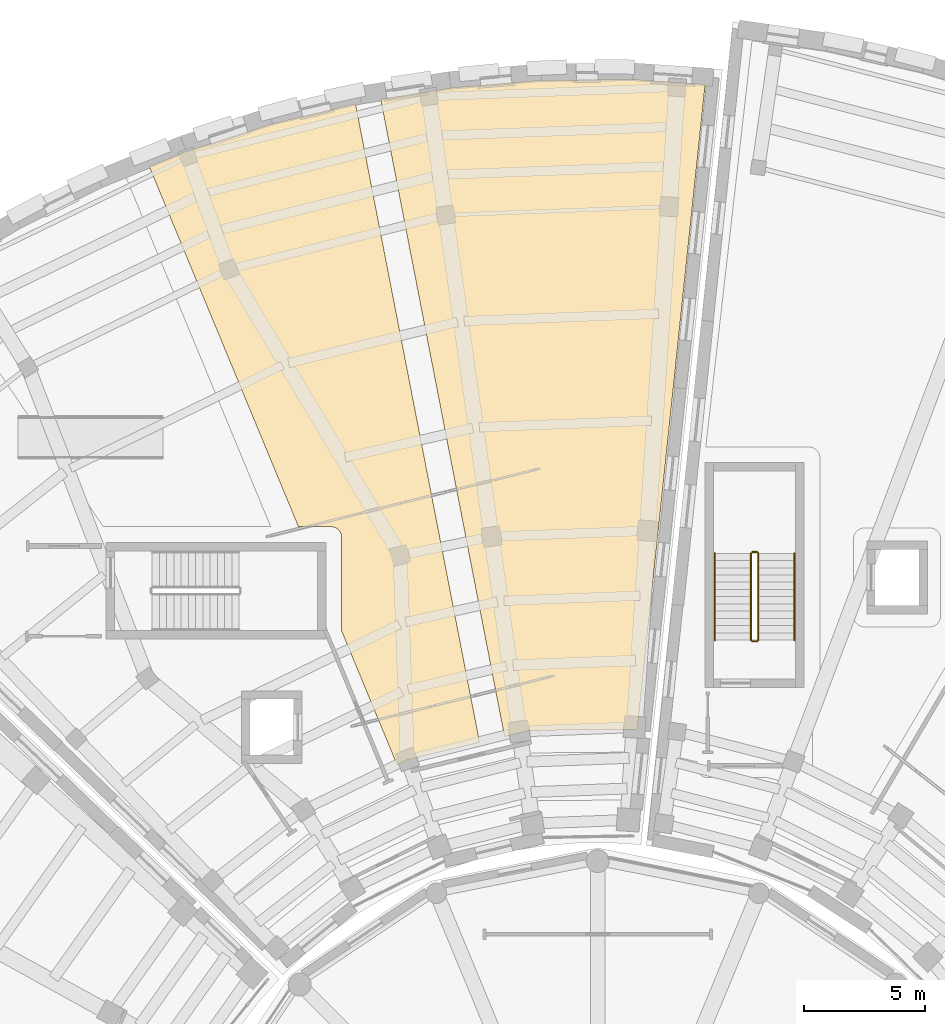
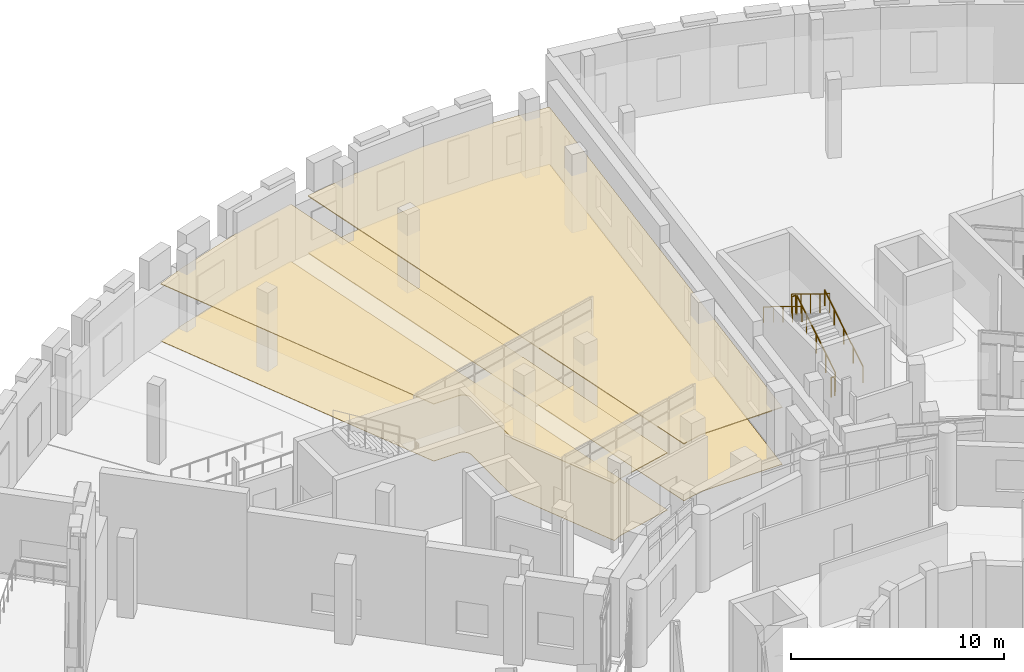
# One storey, part 69 of 75: 6 railings, 4 coverings.
"""IFC4 building model written with IfcOpenShell, lengths in metres."""

from ifc_helpers import new_model, si_unit, direction, frame, origin, origin_2d, place, context, subcontext, project, spatial, polyline, circle, outline, extrude, material, layer, layer_set, type_object, element, save


model = new_model("IFC4")

# Units and contexts
model_context = context("Model", 3, precision=1e-05, world=origin(), true_north=direction((0.0, 1.0)))
body_context = subcontext(model_context, "Body", "Model", "MODEL_VIEW")
ifc_project = project(units=[si_unit("LENGTHUNIT", "METRE"), si_unit("AREAUNIT", "SQUARE_METRE"), si_unit("VOLUMEUNIT", "CUBIC_METRE"), si_unit("PLANEANGLEUNIT", "RADIAN"), si_unit("MASSUNIT", "GRAM", prefix="KILO")], contexts=[model_context])

# Site, building, storey
site_placement = place(None, origin())
site = spatial("IfcSite", under=ifc_project, at=site_placement, CompositionType="ELEMENT")
building_placement = place(site_placement, origin())
building = spatial("IfcBuilding", under=site, at=building_placement, Name="Soyqirgoq Riverine Aquarium", CompositionType="ELEMENT")
storey_placement = place(building_placement, frame((0.0, 0.0, 10.199951171875)))
storey = spatial("IfcBuildingStorey", under=building, at=storey_placement, Name="L03", CompositionType="ELEMENT", Elevation=10.199951171875)

# Coverings
ifc_material_1 = material(Name="Perforated mineral-fibre acoustic ceiling", Category="gypsum")
ifc_layer_1 = layer(ifc_material_1, 0.050048828125)
ifc_layer_set_1 = layer_set([ifc_layer_1], Name="Perforated mineral-fibre acoustic ceiling")
covering_type_1 = type_object("IfcCoveringType", Name="AcousticBaffleCeiling_50", PredefinedType="CEILING", material=ifc_layer_set_1)
covering_1_placement = place(storey_placement, frame((0.0, 0.0, 3.25)))
element("IfcCovering", 1, at=covering_1_placement, inside=storey, type_object=covering_type_1, Name="Kreisel Bioluminescence Hall Suspended Ceiling", PredefinedType="CEILING", context=body_context, shape_type="SweptSolid", body=[
    extrude(outline(polyline([(49.925048828125, 106.47802734375), (53.680908203125, 106.7958984375), (57.449951171875, 106.827880859375), (60.451904296875, 106.626953125), (57.64306640625, 79.89990234375), (53.243896484375, 79.862060546875), (53.193115234375, 79.85888671875), (53.14306640625, 79.84912109375), (52.14501953125, 79.610107421875), (47.013916015625, 106.008056640625), (49.925048828125, 106.47802734375)])), origin(), (0.0, 0.0, 1.0), 0.050048828125),
])
ifc_material_2 = material(Name="Seamless slip-resistant marine epoxy flooring", Category="concrete")
ifc_layer_2 = layer(ifc_material_2, 0.02001953125)
ifc_layer_set_2 = layer_set([ifc_layer_2], Name="Seamless slip-resistant marine epoxy flooring")
covering_type_2 = type_object("IfcCoveringType", Name="EpoxyWetFloorFinish_20", PredefinedType="FLOORING", material=ifc_layer_set_2)
covering_2_placement = place(storey_placement, origin())
element("IfcCovering", 2, at=covering_2_placement, inside=storey, type_object=covering_type_2, Name="Plankton Microscopy Laboratory Floor Finish", PredefinedType="FLOORING", context=body_context, shape_type="SweptSolid", body=[
    extrude(outline(polyline([(38.950927734375, 103.843017578125), (42.5390625, 104.998046875), (45.969970703125, 105.821044921875), (51.113037109375, 79.362060546875), (48.172119140625, 78.656005859375), (48.123046875, 78.64111328125), (48.075927734375, 78.62109375), (47.696044921875, 78.431884765625), (45.39990234375, 83.97607421875), (45.39990234375, 87.85009765625), (45.39794921875, 87.89404296875), (45.39111328125, 87.93798828125), (45.381103515625, 87.98095703125), (45.365966796875, 88.02197265625), (45.346923828125, 88.06201171875), (45.323974609375, 88.10009765625), (45.298095703125, 88.135009765625), (45.26806640625, 88.16796875), (45.235107421875, 88.197998046875), (45.199951171875, 88.22412109375), (45.162109375, 88.2470703125), (45.1220703125, 88.26611328125), (45.0810546875, 88.281005859375), (45.0380859375, 88.291015625), (44.993896484375, 88.298095703125), (44.949951171875, 88.300048828125), (43.60888671875, 88.300048828125), (37.427978515625, 103.222900390625), (38.950927734375, 103.843017578125)])), origin(), (0.0, 0.0, 1.0), 0.02001953125),
])
ifc_material_3 = material(Name="Anodised aluminium marine moisture-resistant ceiling", Category="aluminium")
ifc_layer_3 = layer(ifc_material_3, 0.0400390625)
ifc_layer_set_3 = layer_set([ifc_layer_3], Name="Anodised aluminium marine moisture-resistant ceiling")
covering_type_3 = type_object("IfcCoveringType", Name="MoistureCeiling_40", PredefinedType="CEILING", material=ifc_layer_set_3)
covering_3_placement = place(storey_placement, frame((0.0, 0.0, 3.260009765625)))
element("IfcCovering", 3, at=covering_3_placement, inside=storey, type_object=covering_type_3, Name="Plankton Microscopy Laboratory Suspended Ceiling", PredefinedType="CEILING", context=body_context, shape_type="SweptSolid", body=[
    extrude(outline(polyline([(38.950927734375, 103.843017578125), (42.5390625, 104.998046875), (45.969970703125, 105.821044921875), (51.113037109375, 79.362060546875), (48.172119140625, 78.656005859375), (48.123046875, 78.64111328125), (48.075927734375, 78.62109375), (47.696044921875, 78.431884765625), (45.39990234375, 83.97607421875), (45.39990234375, 87.85009765625), (45.39794921875, 87.89404296875), (45.39111328125, 87.93798828125), (45.381103515625, 87.98095703125), (45.365966796875, 88.02197265625), (45.346923828125, 88.06201171875), (45.323974609375, 88.10009765625), (45.298095703125, 88.135009765625), (45.26806640625, 88.16796875), (45.235107421875, 88.197998046875), (45.199951171875, 88.22412109375), (45.162109375, 88.2470703125), (45.1220703125, 88.26611328125), (45.0810546875, 88.281005859375), (45.0380859375, 88.291015625), (44.993896484375, 88.298095703125), (44.949951171875, 88.300048828125), (43.60888671875, 88.300048828125), (37.427978515625, 103.222900390625), (38.950927734375, 103.843017578125)])), origin(), (0.0, 0.0, 1.0), 0.0400390625),
])

# Railings
ifc_material_4 = material(Name="Brushed stainless steel 316L tubular handrail", Category="steel")
railing_type_1 = type_object("IfcRailingType", Name="StairPitchHandrail_920", PredefinedType="HANDRAIL", material=ifc_material_4)
railing_1_placement = place(storey_placement, frame((64.14990234375, 83.60009765625, 0.1845703125)))
element("IfcRailing", 4, at=railing_1_placement, inside=storey, type_object=railing_type_1, Name="L03 ST-5 stair handrail 1", PredefinedType="HANDRAIL", context=body_context, shape_type="SweptSolid", body=[
    extrude(circle(Radius=0.02392578125, at=origin_2d()), frame((0.0, 0.0, 0.89990234375), z_axis=(0.0, 0.851628569182, 0.524145762315), x_axis=(-1.0, 0.0, 0.0)), (0.0, 0.0, 1.0), 4.22705078125),
    extrude(circle(Radius=0.02099609375, at=origin_2d()), origin(), (0.0, 0.0, 1.0), 0.875732421875),
    extrude(circle(Radius=0.02099609375, at=origin_2d()), frame((0.0, 0.89990234375, 0.553955078125)), (0.0, 0.0, 1.0), 0.875732421875),
    extrude(circle(Radius=0.02099609375, at=origin_2d()), frame((0.0, 1.7998046875, 1.10791015625)), (0.0, 0.0, 1.0), 0.875732421875),
    extrude(circle(Radius=0.02099609375, at=origin_2d()), frame((0.0, 2.699951171875, 1.66162109375)), (0.0, 0.0, 1.0), 0.875732421875),
    extrude(circle(Radius=0.02099609375, at=origin_2d()), frame((0.0, 3.599853515625, 2.215576171875)), (0.0, 0.0, 1.0), 0.875732421875),
])
railing_2_placement = place(storey_placement, frame((60.85009765625, 87.199951171875, 2.584716796875)))
element("IfcRailing", 5, at=railing_2_placement, inside=storey, type_object=railing_type_1, Name="L03 ST-5 stair handrail 2", PredefinedType="HANDRAIL", context=body_context, shape_type="SweptSolid", body=[
    extrude(circle(Radius=0.02392578125, at=origin_2d()), frame((0.0, 0.0, 0.89990234375), z_axis=(0.0, -0.851654350407, 0.524103870844), x_axis=(1.0, 0.0, 0.0)), (0.0, 0.0, 1.0), 4.226806640625),
    extrude(circle(Radius=0.02099609375, at=origin_2d()), origin(), (0.0, 0.0, 1.0), 0.875732421875),
    extrude(circle(Radius=0.02099609375, at=origin_2d()), frame((0.0, -0.89990234375, 0.5537109375)), (0.0, 0.0, 1.0), 0.875732421875),
    extrude(circle(Radius=0.02099609375, at=origin_2d()), frame((0.0, -1.7998046875, 1.107666015625)), (0.0, 0.0, 1.0), 0.875732421875),
    extrude(circle(Radius=0.02099609375, at=origin_2d()), frame((0.0, -2.699951171875, 1.66162109375)), (0.0, 0.0, 1.0), 0.875732421875),
    extrude(circle(Radius=0.02099609375, at=origin_2d()), frame((0.0, -3.599853515625, 2.21533203125)), (0.0, 0.0, 1.0), 0.875732421875),
])
ifc_material_5 = material(Name="Painted steel infill stair-well guardrail", Category="steel")
railing_type_2 = type_object("IfcRailingType", Name="StairWellGuard_1120", PredefinedType="GUARDRAIL", material=ifc_material_5)
railing_3_placement = place(storey_placement, frame((62.64990234375, 83.60009765625, 0.1845703125)))
element("IfcRailing", 6, at=railing_3_placement, inside=storey, type_object=railing_type_2, Name="L03 ST-5 stair guard 1", PredefinedType="GUARDRAIL", context=body_context, shape_type="SweptSolid", body=[
    extrude(circle(Radius=0.02392578125, at=origin_2d()), frame((0.0, 0.0, 1.09619140625), z_axis=(0.0, 0.851628569182, 0.524145762315), x_axis=(-1.0, 0.0, 0.0)), (0.0, 0.0, 1.0), 4.22705078125),
    extrude(circle(Radius=0.02099609375, at=origin_2d()), origin(), (0.0, 0.0, 1.0), 1.072021484375),
    extrude(circle(Radius=0.02099609375, at=origin_2d()), frame((0.0, 0.89990234375, 0.553955078125)), (0.0, 0.0, 1.0), 1.072021484375),
    extrude(circle(Radius=0.02099609375, at=origin_2d()), frame((0.0, 1.7998046875, 1.10791015625)), (0.0, 0.0, 1.0), 1.072021484375),
    extrude(circle(Radius=0.02099609375, at=origin_2d()), frame((0.0, 2.699951171875, 1.66162109375)), (0.0, 0.0, 1.0), 1.072021484375),
    extrude(circle(Radius=0.02099609375, at=origin_2d()), frame((0.0, 3.599853515625, 2.215576171875)), (0.0, 0.0, 1.0), 1.072021484375),
])
railing_4_placement = place(storey_placement, frame((62.60009765625, 87.25, 2.400146484375)))
element("IfcRailing", 7, at=railing_4_placement, inside=storey, type_object=railing_type_2, Name="L03 ST-5 stair guard 2", PredefinedType="GUARDRAIL", context=body_context, shape_type="SweptSolid", body=[
    extrude(circle(Radius=0.02392578125, at=origin_2d()), frame((0.0, 0.0, 1.09619140625), z_axis=(-1.0, 0.0, 0.0), x_axis=(0.0, -1.0, 0.0)), (0.0, 0.0, 1.0), 0.2001953125),
    extrude(circle(Radius=0.02099609375, at=origin_2d()), origin(), (0.0, 0.0, 1.0), 1.072021484375),
    extrude(circle(Radius=0.02099609375, at=origin_2d()), frame((-0.2001953125, 0.0, 0.0)), (0.0, 0.0, 1.0), 1.072021484375),
])
railing_5_placement = place(storey_placement, frame((62.35009765625, 87.199951171875, 2.584716796875)))
element("IfcRailing", 8, at=railing_5_placement, inside=storey, type_object=railing_type_2, Name="L03 ST-5 stair guard 3", PredefinedType="GUARDRAIL", context=body_context, shape_type="SweptSolid", body=[
    extrude(circle(Radius=0.02392578125, at=origin_2d()), frame((0.0, 0.0, 1.09619140625), z_axis=(0.0, -0.851654350407, 0.524103870844), x_axis=(1.0, 0.0, 0.0)), (0.0, 0.0, 1.0), 4.226806640625),
    extrude(circle(Radius=0.02099609375, at=origin_2d()), origin(), (0.0, 0.0, 1.0), 1.072021484375),
    extrude(circle(Radius=0.02099609375, at=origin_2d()), frame((0.0, -0.89990234375, 0.5537109375)), (0.0, 0.0, 1.0), 1.072021484375),
    extrude(circle(Radius=0.02099609375, at=origin_2d()), frame((0.0, -1.7998046875, 1.107666015625)), (0.0, 0.0, 1.0), 1.072021484375),
    extrude(circle(Radius=0.02099609375, at=origin_2d()), frame((0.0, -2.699951171875, 1.66162109375)), (0.0, 0.0, 1.0), 1.072021484375),
    extrude(circle(Radius=0.02099609375, at=origin_2d()), frame((0.0, -3.599853515625, 2.21533203125)), (0.0, 0.0, 1.0), 1.072021484375),
])
railing_6_placement = place(storey_placement, frame((62.60009765625, 83.550048828125, 0.0)))
element("IfcRailing", 9, at=railing_6_placement, inside=storey, type_object=railing_type_2, Name="L03 ST-5 stair guard 4", PredefinedType="GUARDRAIL", context=body_context, shape_type="SweptSolid", body=[
    extrude(circle(Radius=0.02392578125, at=origin_2d()), frame((0.0, 0.0, 1.09619140625), z_axis=(-1.0, 0.0, 0.0), x_axis=(0.0, -1.0, 0.0)), (0.0, 0.0, 1.0), 0.2001953125),
    extrude(circle(Radius=0.02099609375, at=origin_2d()), origin(), (0.0, 0.0, 1.0), 1.072021484375),
    extrude(circle(Radius=0.02099609375, at=origin_2d()), frame((-0.2001953125, 0.0, 0.0)), (0.0, 0.0, 1.0), 1.072021484375),
])

# Covering
ifc_material_6 = material(Name="Polished Chirchiq river-pebble terrazzo flooring", Category="concrete")
ifc_layer_4 = layer(ifc_material_6, 0.030029296875)
ifc_layer_set_4 = layer_set([ifc_layer_4], Name="Polished Chirchiq river-pebble terrazzo flooring")
covering_type_4 = type_object("IfcCoveringType", Name="TerrazzoFloorFinish_30", PredefinedType="FLOORING", material=ifc_layer_set_4)
covering_4_placement = place(storey_placement, origin())
element("IfcCovering", 10, at=covering_4_placement, inside=storey, type_object=covering_type_4, Name="Kreisel Bioluminescence Hall Floor Finish", PredefinedType="FLOORING", context=body_context, shape_type="SweptSolid", body=[
    extrude(outline(polyline([(49.925048828125, 106.47802734375), (53.680908203125, 106.7958984375), (57.449951171875, 106.827880859375), (60.451904296875, 106.626953125), (57.64306640625, 79.89990234375), (53.243896484375, 79.862060546875), (53.193115234375, 79.85888671875), (53.14306640625, 79.84912109375), (52.14501953125, 79.610107421875), (47.013916015625, 106.008056640625), (49.925048828125, 106.47802734375)])), origin(), (0.0, 0.0, 1.0), 0.030029296875),
])

save(model, "model.ifc")
